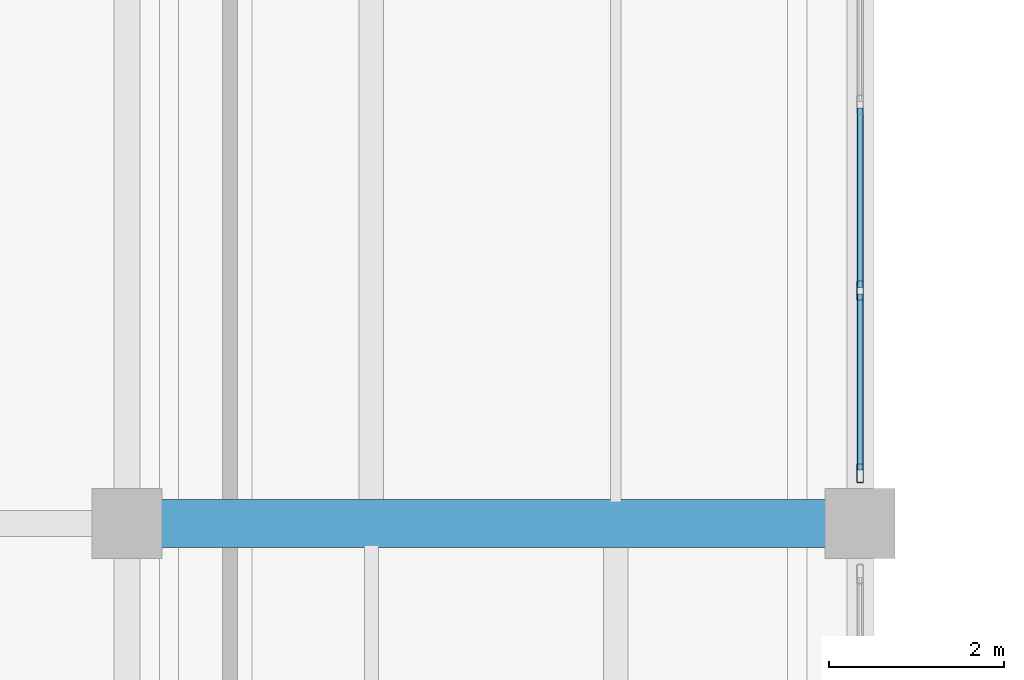
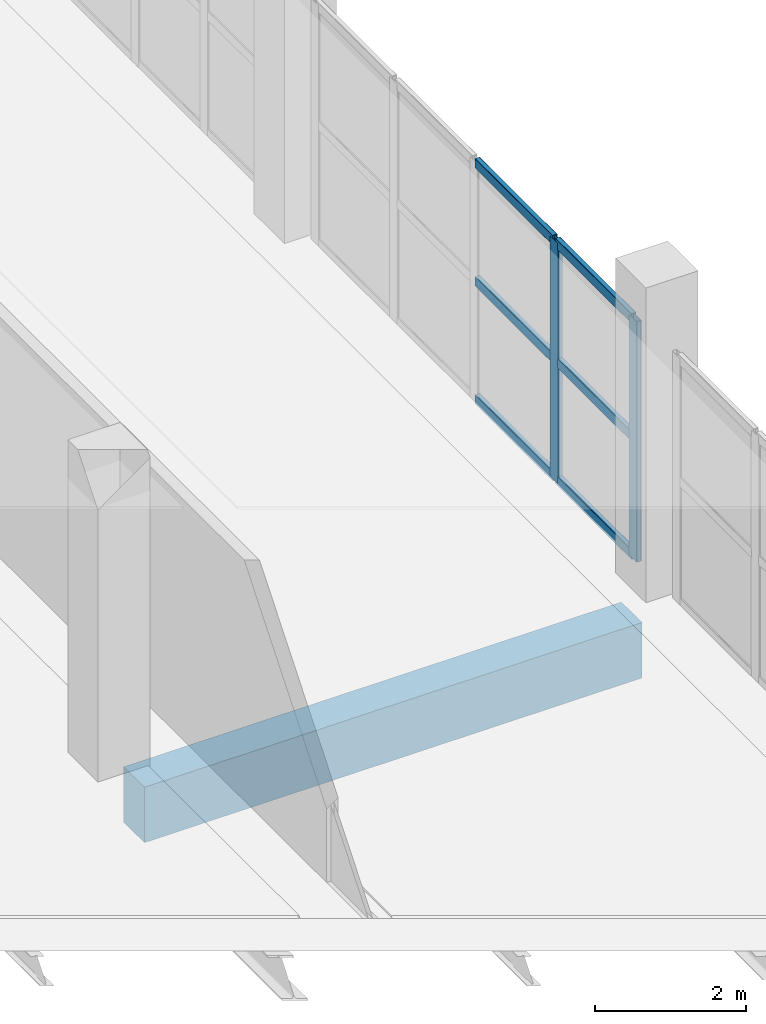
# One storey, part 38 of 73: 8 members, 1 beam, 1 element without a shape of its own.
"""IFC4 building model written with IfcOpenShell, lengths in metres."""

import ifcopenshell
import ifcopenshell.guid

model = None  # the IFC model being written
_history = None  # IfcOwnerHistory: only IFC2X3 demands one
_inside = {}  # id of a spatial element -> (the spatial element, [elements in it])
_under = {}  # id of a project, library or spatial element -> (it, [spatial elements below it])
_declared = {}  # id of a project -> (the project, [libraries it declares])
_typed = {}  # id of a type object -> (the type object, [elements of that type])
_made_of = {}  # id of a material, layer set ... -> (it, [elements and type objects made of it])


def new_model(schema):
    """Start an empty IFC model of exactly this schema.

    Asked for "IFC4X3", IfcOpenShell would pick the latest addendum, in which some entities
    have other attributes; the version numbers below select the first issue.
    IFC2X3 requires an IfcOwnerHistory on every rooted entity: one is made here for all.
    """
    global model, _history
    if schema == "IFC4X3":
        model = ifcopenshell.file(schema_version=(4, 3, 0, 0))
    else:
        model = ifcopenshell.file(schema=schema)
    _inside.clear()
    _under.clear()
    _declared.clear()
    _typed.clear()
    _made_of.clear()
    _history = None
    if model.schema == "IFC2X3":
        org = make("IfcOrganization", Name="unknown")
        user = make(
            "IfcPersonAndOrganization",
            ThePerson=make("IfcPerson", FamilyName="unknown"),
            TheOrganization=org,
        )
        app = make(
            "IfcApplication",
            ApplicationDeveloper=org,
            Version="unknown",
            ApplicationFullName="unknown",
            ApplicationIdentifier="unknown",
        )
        _history = make(
            "IfcOwnerHistory",
            OwningUser=user,
            OwningApplication=app,
            ChangeAction="ADDED",
            CreationDate=0,
        )
    return model


def make(cls, **values):
    """One entity of the class cls with the attributes given. An attribute that is None is left unset."""
    return model.create_entity(
        cls, **{name: value for name, value in values.items() if value is not None}
    )


def rooted(cls, **values):
    """An entity with a GlobalId (a new one), such as an element, a storey or a relation."""
    return make(cls, GlobalId=ifcopenshell.guid.new(), OwnerHistory=_history, **values)


def si_unit(unit_type, name, prefix=None):
    """IfcSIUnit, for example si_unit("LENGTHUNIT", "METRE", prefix="MILLI")."""
    return make("IfcSIUnit", UnitType=unit_type, Prefix=prefix, Name=name)


def assignment(units):
    """IfcUnitAssignment: the units of a project."""
    return None if units is None else make("IfcUnitAssignment", Units=units)


def point(xyz):
    """IfcCartesianPoint."""
    return None if xyz is None else make("IfcCartesianPoint", Coordinates=xyz)


def direction(xyz):
    """IfcDirection."""
    return None if xyz is None else make("IfcDirection", DirectionRatios=xyz)


def frame(location, z_axis=None, x_axis=None):
    """IfcAxis2Placement3D, a coordinate frame: its origin and axes. An axis left out is left unset."""
    return make(
        "IfcAxis2Placement3D",
        Location=point(location),
        Axis=direction(z_axis),
        RefDirection=direction(x_axis),
    )


def frame_2d(location, x_axis=None):
    """IfcAxis2Placement2D, a coordinate frame in the plane: its origin and x axis."""
    return make(
        "IfcAxis2Placement2D", Location=point(location), RefDirection=direction(x_axis)
    )


def origin():
    """The frame at (0, 0, 0) with its axes left unset."""
    return frame((0.0, 0.0, 0.0))


def origin_2d():
    """The frame at (0, 0) in the plane with its x axis left unset."""
    return frame_2d((0.0, 0.0))


def place(relative_to, where):
    """IfcLocalPlacement: puts the frame where relative to a parent placement (None: the world)."""
    return make(
        "IfcLocalPlacement", PlacementRelTo=relative_to, RelativePlacement=where
    )


def context(
    kind, dimensions, precision=None, world=None, true_north=None, identifier=None
):
    """IfcGeometricRepresentationContext, for example the 3D "Model" context."""
    return make(
        "IfcGeometricRepresentationContext",
        ContextIdentifier=identifier,
        ContextType=kind,
        CoordinateSpaceDimension=dimensions,
        Precision=precision,
        WorldCoordinateSystem=world,
        TrueNorth=true_north,
    )


def subcontext(parent, identifier, kind, view, scale=None):
    """IfcGeometricRepresentationSubContext, for example "Body" below "Model"."""
    return make(
        "IfcGeometricRepresentationSubContext",
        ContextIdentifier=identifier,
        ContextType=kind,
        ParentContext=parent,
        TargetScale=scale,
        TargetView=view,
    )


def project(units=None, contexts=None):
    """IfcProject with its units and contexts."""
    return rooted(
        "IfcProject",
        Name="project",
        RepresentationContexts=contexts,
        UnitsInContext=assignment(units),
    )


def spatial(cls, under=None, at=None, **own):
    """A site, building, storey or space (cls), placed at a placement, below another one or the project."""
    s = rooted(cls, ObjectPlacement=at, **own)
    if under is not None:
        _under.setdefault(under.id(), (under, []))[1].append(s)
    return s


def profile(cls, at=None, kind="AREA", **sizes):
    """A parametric profile (cls). Its sizes go by their IFC names, for example OverallWidth=200.0."""
    return make(cls, ProfileType=kind, Position=at, **sizes)


def rectangle(**sizes):
    """IfcRectangleProfileDef."""
    return profile("IfcRectangleProfileDef", **sizes)


def hollow_rectangle(**sizes):
    """IfcRectangleHollowProfileDef."""
    return profile("IfcRectangleHollowProfileDef", **sizes)


def extrude(swept, where, along, depth):
    """IfcExtrudedAreaSolid: the profile swept, set in the frame where, extruded along a direction by depth."""
    return make(
        "IfcExtrudedAreaSolid",
        SweptArea=swept,
        Position=where,
        ExtrudedDirection=direction(along),
        Depth=depth,
    )


def shape(context_of_items, identifier, shape_type, items):
    """IfcShapeRepresentation: the items that make up one representation, for example the "Body"."""
    return make(
        "IfcShapeRepresentation",
        ContextOfItems=context_of_items,
        RepresentationIdentifier=identifier,
        RepresentationType=shape_type,
        Items=items,
    )


def material(Name=None, Category=None):
    """IfcMaterial."""
    return make("IfcMaterial", Name=Name, Category=Category)


def layer(
    of_material, thickness, ventilated=None, Name=None, Category=None, Priority=None
):
    """IfcMaterialLayer: one layer of a wall or slab, of a material (None: an air gap)."""
    return make(
        "IfcMaterialLayer",
        Material=of_material,
        LayerThickness=thickness,
        IsVentilated=ventilated,
        Name=Name,
        Category=Category,
        Priority=Priority,
    )


def layer_set(layers, Name=None):
    """IfcMaterialLayerSet."""
    return make("IfcMaterialLayerSet", MaterialLayers=layers, LayerSetName=Name)


def material_profile(
    of_material, cross_section, Name=None, Category=None, Priority=None
):
    """IfcMaterialProfile: a cross section and its material."""
    return make(
        "IfcMaterialProfile",
        Name=Name,
        Material=of_material,
        Profile=cross_section,
        Priority=Priority,
        Category=Category,
    )


def profile_set(profiles, Name=None, composite=None):
    """IfcMaterialProfileSet."""
    return make(
        "IfcMaterialProfileSet",
        Name=Name,
        MaterialProfiles=profiles,
        CompositeProfile=composite,
    )


def made_of(thing, what):
    """Note that an element or type object is made of a material, layer set ...; save() writes the relation."""
    if what is not None:
        _made_of.setdefault(what.id(), (what, []))[1].append(thing)
    return thing


def type_object(cls, material=None, **own):
    """A type object (cls), such as IfcWallType, which elements share."""
    return made_of(rooted(cls, **own), material)


def element(
    cls,
    number,
    at=None,
    inside=None,
    cuts=None,
    type_object=None,
    material=None,
    context=None,
    identifier="Body",
    shape_type=None,
    held_by="IfcProductDefinitionShape",
    body=None,
    shapes=None,
    **own,
):
    """One element of the class cls, such as IfcWall. Its Tag is "e" and its number.

    at: its placement. inside: the storey or other place that contains it. cuts: it is an
    opening in that element (IfcRelVoidsElement). A single representation is given by context,
    identifier, shape_type and body (its items); several are given by shapes. held_by: the class
    of the entity that holds the representations. save() writes the other relations.
    """
    e = rooted(cls, Tag="e%d" % number, ObjectPlacement=at, **own)
    if body is not None:
        shapes = [shape(context, identifier, shape_type, body)]
    if shapes is not None:
        e.Representation = make(held_by, Representations=shapes)
    if inside is not None:
        _inside.setdefault(inside.id(), (inside, []))[1].append(e)
    if cuts is not None:
        rooted(
            "IfcRelVoidsElement", RelatingBuildingElement=cuts, RelatedOpeningElement=e
        )
    if type_object is not None:
        _typed.setdefault(type_object.id(), (type_object, []))[1].append(e)
    return made_of(e, material)


def aggregate(whole, parts):
    """IfcRelAggregates: a whole, such as a stair, and the parts it consists of."""
    return rooted("IfcRelAggregates", RelatingObject=whole, RelatedObjects=parts)


def save(model, path):
    """Write the relations noted so far, then the file.

    IfcRelAggregates (storeys below a building ...), IfcRelContainedInSpatialStructure (elements
    in a storey), IfcRelDefinesByType, IfcRelAssociatesMaterial and IfcRelDeclares: one each for
    every whole, place, type object, material and project.
    """
    for whole, parts in _under.values():
        aggregate(whole, parts)
    for where, things in _inside.values():
        rooted(
            "IfcRelContainedInSpatialStructure",
            RelatedElements=things,
            RelatingStructure=where,
        )
    for kind, things in _typed.values():
        rooted("IfcRelDefinesByType", RelatedObjects=things, RelatingType=kind)
    for what, things in _made_of.values():
        rooted("IfcRelAssociatesMaterial", RelatedObjects=things, RelatingMaterial=what)
    for by, libraries in _declared.values():
        rooted("IfcRelDeclares", RelatingContext=by, RelatedDefinitions=libraries)
    model.write(path)


model = new_model("IFC4")

# Units and contexts
model_context = context("Model", 3, precision=1e-05, world=origin(), true_north=direction((0.0, 1.0)))
body_context = subcontext(model_context, "Body", "Model", "MODEL_VIEW")
ifc_project = project(units=[si_unit("LENGTHUNIT", "METRE"), si_unit("AREAUNIT", "SQUARE_METRE"), si_unit("VOLUMEUNIT", "CUBIC_METRE"), si_unit("PLANEANGLEUNIT", "RADIAN"), si_unit("MASSUNIT", "GRAM", prefix="KILO")], contexts=[model_context])

# Site, building, storey
site_placement = place(None, origin())
site = spatial("IfcSite", under=ifc_project, at=site_placement, CompositionType="ELEMENT")
building_placement = place(site_placement, origin())
building = spatial("IfcBuilding", under=site, at=building_placement, Name="Zulmaris Art Gallery", CompositionType="ELEMENT")
storey_placement = place(building_placement, frame((0.0, 0.0, 10.5)))
storey = spatial("IfcBuildingStorey", under=building, at=storey_placement, Name="L02", CompositionType="ELEMENT", Elevation=10.5)

# Beam
ifc_material_1 = material(Name="Concrete C40/50", Category="concrete")
ifc_material_profile_1 = material_profile(ifc_material_1, rectangle(XDim=0.550048828125, YDim=0.89990234375, at=origin_2d()), Name="RC 550x900")
ifc_profile_set_1 = profile_set([ifc_material_profile_1], Name="Concrete C40/50")
beam_type = type_object("IfcBeamType", Name="BEAM-BM21", PredefinedType="BEAM", material=ifc_profile_set_1)
beam_placement = place(storey_placement, frame((150.385009765625, 40.800048828125, -0.85009765625), z_axis=(1.0, 0.0, 0.0), x_axis=(0.0, 1.0, 0.0)))
element("IfcBeam", 1, at=beam_placement, inside=storey, type_object=beam_type, Name="L02 X-girder (150.0..158.4, y=40.8)", PredefinedType="BEAM", context=body_context, shape_type="SweptSolid", body=[
    extrude(rectangle(XDim=0.550048828125, YDim=0.89990234375, at=origin_2d()), origin(), (0.0, 0.0, 1.0), 7.6298828125),
])

# Curtain wall, members
ifc_material_2 = material(Name="Courtyard Artists Studio Curtain Wall", Category="aluminium")
ifc_layer = layer(ifc_material_2, 0.179931640625)
ifc_layer_set = layer_set([ifc_layer], Name="Courtyard Artists Studio Curtain Wall")
curtain_wall_type = type_object("IfcCurtainWallType", Name="CW-CW04", PredefinedType="NOTDEFINED", material=ifc_layer_set)
curtain_wall_placement = place(storey_placement, origin())
curtain_wall = element("IfcCurtainWall", 2, at=curtain_wall_placement, inside=storey, type_object=curtain_wall_type, Name="L02 curtain wall 137", PredefinedType="NOTDEFINED")
ifc_material_3 = material(Name="Anodised Bronze Aluminium", Category="aluminium")
ifc_material_profile_2 = material_profile(ifc_material_3, hollow_rectangle(XDim=0.074951171875, YDim=0.219970703125, WallThickness=0.0048828125, InnerFilletRadius=0.007568359375, OuterFilletRadius=0.012451171875, at=origin_2d()), Name="ALU 75x220x5")
ifc_profile_set_2 = profile_set([ifc_material_profile_2], Name="Anodised Bronze Aluminium")
member_type_1 = type_object("IfcMemberType", Name="CWMUL-02", PredefinedType="MULLION", material=ifc_profile_set_2)
member_1_placement = place(storey_placement, frame((158.39990234375, 41.37744140625, 0.0), z_axis=(0.0, 0.0, 1.0), x_axis=(-1.0, 0.0, 0.0)))
member_1 = element("IfcMember", 3, at=member_1_placement, type_object=member_type_1, Name="CW04 mullion 1", PredefinedType="MULLION", context=body_context, shape_type="SweptSolid", body=[
    extrude(hollow_rectangle(XDim=0.074951171875, YDim=0.219970703125, WallThickness=0.0048828125, InnerFilletRadius=0.007568359375, OuterFilletRadius=0.012451171875, at=origin_2d()), origin(), (0.0, 0.0, 1.0), 3.89990234375),
])
member_2_placement = place(storey_placement, frame((158.39990234375, 43.469970703125, 0.0), z_axis=(0.0, 0.0, 1.0), x_axis=(-1.0, 0.0, 0.0)))
member_2 = element("IfcMember", 4, at=member_2_placement, type_object=member_type_1, Name="CW04 mullion 2", PredefinedType="MULLION", context=body_context, shape_type="SweptSolid", body=[
    extrude(hollow_rectangle(XDim=0.074951171875, YDim=0.219970703125, WallThickness=0.0048828125, InnerFilletRadius=0.007568359375, OuterFilletRadius=0.012451171875, at=origin_2d()), origin(), (0.0, 0.0, 1.0), 3.89990234375),
])
ifc_material_profile_3 = material_profile(ifc_material_3, hollow_rectangle(XDim=0.074951171875, YDim=0.159912109375, WallThickness=0.00390625, InnerFilletRadius=0.006103515625, OuterFilletRadius=0.010009765625, at=origin_2d()), Name="ALU 75x160x4")
ifc_profile_set_3 = profile_set([ifc_material_profile_3], Name="Anodised Bronze Aluminium")
member_type_2 = type_object("IfcMemberType", Name="CWTRN-02", PredefinedType="USERDEFINED", material=ifc_profile_set_3)
member_3_placement = place(storey_placement, frame((158.39990234375, 41.4150390625, 0.03759765625), z_axis=(0.0, 1.0, 0.0), x_axis=(-1.0, 0.0, 0.0)))
member_3 = element("IfcMember", 5, at=member_3_placement, type_object=member_type_2, Name="CW04 transom 1.1", ObjectType="TRANSOM", PredefinedType="USERDEFINED", context=body_context, shape_type="SweptSolid", body=[
    extrude(hollow_rectangle(XDim=0.074951171875, YDim=0.159912109375, WallThickness=0.00390625, InnerFilletRadius=0.006103515625, OuterFilletRadius=0.010009765625, at=origin_2d()), origin(), (0.0, 0.0, 1.0), 2.017578125),
])
member_4_placement = place(storey_placement, frame((158.39990234375, 41.4150390625, 1.949951171875), z_axis=(0.0, 1.0, 0.0), x_axis=(-1.0, 0.0, 0.0)))
member_4 = element("IfcMember", 6, at=member_4_placement, type_object=member_type_2, Name="CW04 transom 1.2", ObjectType="TRANSOM", PredefinedType="USERDEFINED", context=body_context, shape_type="SweptSolid", body=[
    extrude(hollow_rectangle(XDim=0.074951171875, YDim=0.159912109375, WallThickness=0.00390625, InnerFilletRadius=0.006103515625, OuterFilletRadius=0.010009765625, at=origin_2d()), origin(), (0.0, 0.0, 1.0), 2.017578125),
])
member_5_placement = place(storey_placement, frame((158.39990234375, 41.4150390625, 3.862548828125), z_axis=(0.0, 1.0, 0.0), x_axis=(-1.0, 0.0, 0.0)))
member_5 = element("IfcMember", 7, at=member_5_placement, type_object=member_type_2, Name="CW04 transom 1.3", ObjectType="TRANSOM", PredefinedType="USERDEFINED", context=body_context, shape_type="SweptSolid", body=[
    extrude(hollow_rectangle(XDim=0.074951171875, YDim=0.159912109375, WallThickness=0.00390625, InnerFilletRadius=0.006103515625, OuterFilletRadius=0.010009765625, at=origin_2d()), origin(), (0.0, 0.0, 1.0), 2.017578125),
])
member_6_placement = place(storey_placement, frame((158.39990234375, 43.507568359375, 0.03759765625), z_axis=(0.0, 1.0, 0.0), x_axis=(-1.0, 0.0, 0.0)))
member_6 = element("IfcMember", 8, at=member_6_placement, type_object=member_type_2, Name="CW04 transom 2.1", ObjectType="TRANSOM", PredefinedType="USERDEFINED", context=body_context, shape_type="SweptSolid", body=[
    extrude(hollow_rectangle(XDim=0.074951171875, YDim=0.159912109375, WallThickness=0.00390625, InnerFilletRadius=0.006103515625, OuterFilletRadius=0.010009765625, at=origin_2d()), origin(), (0.0, 0.0, 1.0), 2.054931640625),
])
member_7_placement = place(storey_placement, frame((158.39990234375, 43.507568359375, 1.949951171875), z_axis=(0.0, 1.0, 0.0), x_axis=(-1.0, 0.0, 0.0)))
member_7 = element("IfcMember", 9, at=member_7_placement, type_object=member_type_2, Name="CW04 transom 2.2", ObjectType="TRANSOM", PredefinedType="USERDEFINED", context=body_context, shape_type="SweptSolid", body=[
    extrude(hollow_rectangle(XDim=0.074951171875, YDim=0.159912109375, WallThickness=0.00390625, InnerFilletRadius=0.006103515625, OuterFilletRadius=0.010009765625, at=origin_2d()), origin(), (0.0, 0.0, 1.0), 2.054931640625),
])
member_8_placement = place(storey_placement, frame((158.39990234375, 43.507568359375, 3.862548828125), z_axis=(0.0, 1.0, 0.0), x_axis=(-1.0, 0.0, 0.0)))
member_8 = element("IfcMember", 10, at=member_8_placement, type_object=member_type_2, Name="CW04 transom 2.3", ObjectType="TRANSOM", PredefinedType="USERDEFINED", context=body_context, shape_type="SweptSolid", body=[
    extrude(hollow_rectangle(XDim=0.074951171875, YDim=0.159912109375, WallThickness=0.00390625, InnerFilletRadius=0.006103515625, OuterFilletRadius=0.010009765625, at=origin_2d()), origin(), (0.0, 0.0, 1.0), 2.054931640625),
])
aggregate(curtain_wall, [member_1, member_2, member_3, member_4, member_5, member_6, member_7, member_8])

save(model, "model.ifc")
